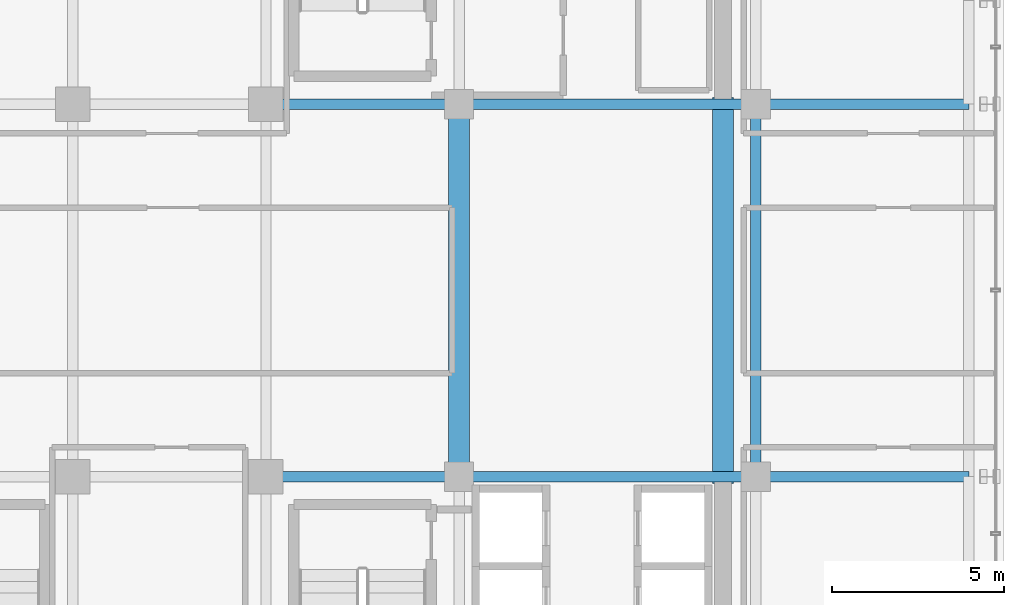
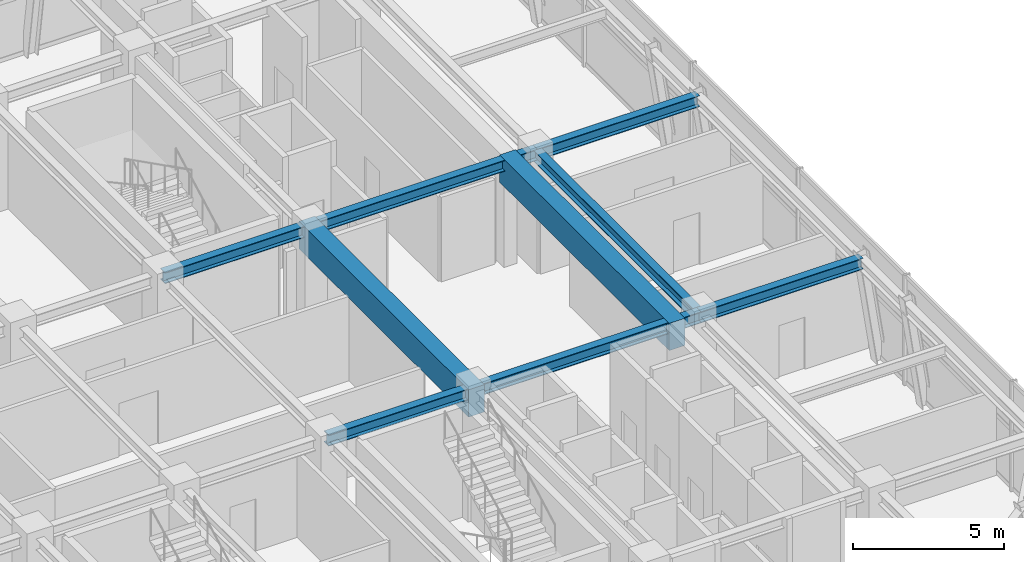
# One storey, part 11 of 28: 9 beams.
"""IFC4 building model written with IfcOpenShell, lengths in metres."""

import ifcopenshell
import ifcopenshell.guid

model = None  # the IFC model being written
_history = None  # IfcOwnerHistory: only IFC2X3 demands one
_inside = {}  # id of a spatial element -> (the spatial element, [elements in it])
_under = {}  # id of a project, library or spatial element -> (it, [spatial elements below it])
_declared = {}  # id of a project -> (the project, [libraries it declares])
_typed = {}  # id of a type object -> (the type object, [elements of that type])
_made_of = {}  # id of a material, layer set ... -> (it, [elements and type objects made of it])


def new_model(schema):
    """Start an empty IFC model of exactly this schema.

    Asked for "IFC4X3", IfcOpenShell would pick the latest addendum, in which some entities
    have other attributes; the version numbers below select the first issue.
    IFC2X3 requires an IfcOwnerHistory on every rooted entity: one is made here for all.
    """
    global model, _history
    if schema == "IFC4X3":
        model = ifcopenshell.file(schema_version=(4, 3, 0, 0))
    else:
        model = ifcopenshell.file(schema=schema)
    _inside.clear()
    _under.clear()
    _declared.clear()
    _typed.clear()
    _made_of.clear()
    _history = None
    if model.schema == "IFC2X3":
        org = make("IfcOrganization", Name="unknown")
        user = make(
            "IfcPersonAndOrganization",
            ThePerson=make("IfcPerson", FamilyName="unknown"),
            TheOrganization=org,
        )
        app = make(
            "IfcApplication",
            ApplicationDeveloper=org,
            Version="unknown",
            ApplicationFullName="unknown",
            ApplicationIdentifier="unknown",
        )
        _history = make(
            "IfcOwnerHistory",
            OwningUser=user,
            OwningApplication=app,
            ChangeAction="ADDED",
            CreationDate=0,
        )
    return model


def make(cls, **values):
    """One entity of the class cls with the attributes given. An attribute that is None is left unset."""
    return model.create_entity(
        cls, **{name: value for name, value in values.items() if value is not None}
    )


def rooted(cls, **values):
    """An entity with a GlobalId (a new one), such as an element, a storey or a relation."""
    return make(cls, GlobalId=ifcopenshell.guid.new(), OwnerHistory=_history, **values)


def si_unit(unit_type, name, prefix=None):
    """IfcSIUnit, for example si_unit("LENGTHUNIT", "METRE", prefix="MILLI")."""
    return make("IfcSIUnit", UnitType=unit_type, Prefix=prefix, Name=name)


def assignment(units):
    """IfcUnitAssignment: the units of a project."""
    return None if units is None else make("IfcUnitAssignment", Units=units)


def point(xyz):
    """IfcCartesianPoint."""
    return None if xyz is None else make("IfcCartesianPoint", Coordinates=xyz)


def direction(xyz):
    """IfcDirection."""
    return None if xyz is None else make("IfcDirection", DirectionRatios=xyz)


def frame(location, z_axis=None, x_axis=None):
    """IfcAxis2Placement3D, a coordinate frame: its origin and axes. An axis left out is left unset."""
    return make(
        "IfcAxis2Placement3D",
        Location=point(location),
        Axis=direction(z_axis),
        RefDirection=direction(x_axis),
    )


def frame_2d(location, x_axis=None):
    """IfcAxis2Placement2D, a coordinate frame in the plane: its origin and x axis."""
    return make(
        "IfcAxis2Placement2D", Location=point(location), RefDirection=direction(x_axis)
    )


def origin():
    """The frame at (0, 0, 0) with its axes left unset."""
    return frame((0.0, 0.0, 0.0))


def origin_2d():
    """The frame at (0, 0) in the plane with its x axis left unset."""
    return frame_2d((0.0, 0.0))


def place(relative_to, where):
    """IfcLocalPlacement: puts the frame where relative to a parent placement (None: the world)."""
    return make(
        "IfcLocalPlacement", PlacementRelTo=relative_to, RelativePlacement=where
    )


def context(
    kind, dimensions, precision=None, world=None, true_north=None, identifier=None
):
    """IfcGeometricRepresentationContext, for example the 3D "Model" context."""
    return make(
        "IfcGeometricRepresentationContext",
        ContextIdentifier=identifier,
        ContextType=kind,
        CoordinateSpaceDimension=dimensions,
        Precision=precision,
        WorldCoordinateSystem=world,
        TrueNorth=true_north,
    )


def subcontext(parent, identifier, kind, view, scale=None):
    """IfcGeometricRepresentationSubContext, for example "Body" below "Model"."""
    return make(
        "IfcGeometricRepresentationSubContext",
        ContextIdentifier=identifier,
        ContextType=kind,
        ParentContext=parent,
        TargetScale=scale,
        TargetView=view,
    )


def project(units=None, contexts=None):
    """IfcProject with its units and contexts."""
    return rooted(
        "IfcProject",
        Name="project",
        RepresentationContexts=contexts,
        UnitsInContext=assignment(units),
    )


def spatial(cls, under=None, at=None, **own):
    """A site, building, storey or space (cls), placed at a placement, below another one or the project."""
    s = rooted(cls, ObjectPlacement=at, **own)
    if under is not None:
        _under.setdefault(under.id(), (under, []))[1].append(s)
    return s


def profile(cls, at=None, kind="AREA", **sizes):
    """A parametric profile (cls). Its sizes go by their IFC names, for example OverallWidth=200.0."""
    return make(cls, ProfileType=kind, Position=at, **sizes)


def rectangle(**sizes):
    """IfcRectangleProfileDef."""
    return profile("IfcRectangleProfileDef", **sizes)


def i_section(**sizes):
    """IfcIShapeProfileDef."""
    return profile("IfcIShapeProfileDef", **sizes)


def extrude(swept, where, along, depth):
    """IfcExtrudedAreaSolid: the profile swept, set in the frame where, extruded along a direction by depth."""
    return make(
        "IfcExtrudedAreaSolid",
        SweptArea=swept,
        Position=where,
        ExtrudedDirection=direction(along),
        Depth=depth,
    )


def shape(context_of_items, identifier, shape_type, items):
    """IfcShapeRepresentation: the items that make up one representation, for example the "Body"."""
    return make(
        "IfcShapeRepresentation",
        ContextOfItems=context_of_items,
        RepresentationIdentifier=identifier,
        RepresentationType=shape_type,
        Items=items,
    )


def source(mapping_origin, context_of_items, identifier, shape_type, items):
    """IfcRepresentationMap: a shape defined once, which mapped items show again and again."""
    return make(
        "IfcRepresentationMap",
        MappingOrigin=mapping_origin,
        MappedRepresentation=shape(context_of_items, identifier, shape_type, items),
    )


def transform(
    local_origin,
    x_axis=None,
    y_axis=None,
    z_axis=None,
    scale=None,
    scale2=None,
    scale3=None,
    uniform=True,
):
    """IfcCartesianTransformationOperator3D, or its non-uniform kind. x_axis, y_axis, z_axis: its Axis1, 2, 3."""
    if uniform:
        return make(
            "IfcCartesianTransformationOperator3D",
            Axis1=direction(x_axis),
            Axis2=direction(y_axis),
            LocalOrigin=point(local_origin),
            Scale=scale,
            Axis3=direction(z_axis),
        )
    return make(
        "IfcCartesianTransformationOperator3DnonUniform",
        Axis1=direction(x_axis),
        Axis2=direction(y_axis),
        LocalOrigin=point(local_origin),
        Scale=scale,
        Axis3=direction(z_axis),
        Scale2=scale2,
        Scale3=scale3,
    )


def mapped(mapping_source, mapping_target):
    """IfcMappedItem: shows the shape of a source again, moved by a transform."""
    return make(
        "IfcMappedItem", MappingSource=mapping_source, MappingTarget=mapping_target
    )


def material(Name=None, Category=None):
    """IfcMaterial."""
    return make("IfcMaterial", Name=Name, Category=Category)


def material_profile(
    of_material, cross_section, Name=None, Category=None, Priority=None
):
    """IfcMaterialProfile: a cross section and its material."""
    return make(
        "IfcMaterialProfile",
        Name=Name,
        Material=of_material,
        Profile=cross_section,
        Priority=Priority,
        Category=Category,
    )


def profile_set(profiles, Name=None, composite=None):
    """IfcMaterialProfileSet."""
    return make(
        "IfcMaterialProfileSet",
        Name=Name,
        MaterialProfiles=profiles,
        CompositeProfile=composite,
    )


def made_of(thing, what):
    """Note that an element or type object is made of a material, layer set ...; save() writes the relation."""
    if what is not None:
        _made_of.setdefault(what.id(), (what, []))[1].append(thing)
    return thing


def type_object(cls, material=None, **own):
    """A type object (cls), such as IfcWallType, which elements share."""
    return made_of(rooted(cls, **own), material)


def element(
    cls,
    number,
    at=None,
    inside=None,
    cuts=None,
    type_object=None,
    material=None,
    context=None,
    identifier="Body",
    shape_type=None,
    held_by="IfcProductDefinitionShape",
    body=None,
    shapes=None,
    **own,
):
    """One element of the class cls, such as IfcWall. Its Tag is "e" and its number.

    at: its placement. inside: the storey or other place that contains it. cuts: it is an
    opening in that element (IfcRelVoidsElement). A single representation is given by context,
    identifier, shape_type and body (its items); several are given by shapes. held_by: the class
    of the entity that holds the representations. save() writes the other relations.
    """
    e = rooted(cls, Tag="e%d" % number, ObjectPlacement=at, **own)
    if body is not None:
        shapes = [shape(context, identifier, shape_type, body)]
    if shapes is not None:
        e.Representation = make(held_by, Representations=shapes)
    if inside is not None:
        _inside.setdefault(inside.id(), (inside, []))[1].append(e)
    if cuts is not None:
        rooted(
            "IfcRelVoidsElement", RelatingBuildingElement=cuts, RelatedOpeningElement=e
        )
    if type_object is not None:
        _typed.setdefault(type_object.id(), (type_object, []))[1].append(e)
    return made_of(e, material)


def aggregate(whole, parts):
    """IfcRelAggregates: a whole, such as a stair, and the parts it consists of."""
    return rooted("IfcRelAggregates", RelatingObject=whole, RelatedObjects=parts)


def save(model, path):
    """Write the relations noted so far, then the file.

    IfcRelAggregates (storeys below a building ...), IfcRelContainedInSpatialStructure (elements
    in a storey), IfcRelDefinesByType, IfcRelAssociatesMaterial and IfcRelDeclares: one each for
    every whole, place, type object, material and project.
    """
    for whole, parts in _under.values():
        aggregate(whole, parts)
    for where, things in _inside.values():
        rooted(
            "IfcRelContainedInSpatialStructure",
            RelatedElements=things,
            RelatingStructure=where,
        )
    for kind, things in _typed.values():
        rooted("IfcRelDefinesByType", RelatedObjects=things, RelatingType=kind)
    for what, things in _made_of.values():
        rooted("IfcRelAssociatesMaterial", RelatedObjects=things, RelatingMaterial=what)
    for by, libraries in _declared.values():
        rooted("IfcRelDeclares", RelatingContext=by, RelatedDefinitions=libraries)
    model.write(path)


model = new_model("IFC4")

# Units and contexts
model_context = context("Model", 3, precision=1e-05, world=origin(), true_north=direction((0.0, 1.0)))
body_context = subcontext(model_context, "Body", "Model", "MODEL_VIEW")
ifc_project = project(units=[si_unit("LENGTHUNIT", "METRE"), si_unit("AREAUNIT", "SQUARE_METRE"), si_unit("VOLUMEUNIT", "CUBIC_METRE"), si_unit("PLANEANGLEUNIT", "RADIAN"), si_unit("MASSUNIT", "GRAM", prefix="KILO")], contexts=[model_context])

# Site, building, storey
site_placement = place(None, origin())
site = spatial("IfcSite", under=ifc_project, at=site_placement, CompositionType="ELEMENT")
building_placement = place(site_placement, origin())
building = spatial("IfcBuilding", under=site, at=building_placement, Name="Nahalor Promenade Grand Hotel", CompositionType="ELEMENT")
storey_placement = place(building_placement, frame((0.0, 0.0, 256.699951171875)))
storey = spatial("IfcBuildingStorey", under=building, at=storey_placement, Name="L66", CompositionType="ELEMENT", Elevation=256.699951171875)

# Beams
ifc_material_1 = material(Name="Concrete B-60 (C50/60)", Category="concrete")
ifc_material_profile_1 = material_profile(ifc_material_1, rectangle(XDim=0.6, YDim=1.1, at=origin_2d()), Name="RC 600x1100")
ifc_profile_set_1 = profile_set([ifc_material_profile_1], Name="Concrete B-60 (C50/60)")
beam_type_1 = type_object("IfcBeamType", Name="Beam-Lintel-RC1100", PredefinedType="LINTEL", material=ifc_profile_set_1)
shared_shape_1 = source(origin(), body_context, "Body", "SweptSolid", [
    extrude(rectangle(XDim=0.6, YDim=1.1, at=origin_2d()), origin(), (0.0, 0.0, 1.0), 11.2001953125),
])
for number, where, z_axis, x_axis, name in (
    (1, (8.39990234375, -5.60009765625, 3.89013671875), (0.0, 1.0, 0.0), (-1.0, 0.0, 0.0), "BM-L66-LINT-W"),
    (2, (16.050048828125, -5.60009765625, 3.89013671875), (0.0, 1.0, 0.0), (-1.0, 0.0, 0.0), "BM-L66-LINT-E"),
):
    element("IfcBeam", number, at=place(storey_placement, frame(where, z_axis=z_axis, x_axis=x_axis)), inside=storey, type_object=beam_type_1, Name=name, PredefinedType="LINTEL", context=body_context, shape_type="MappedRepresentation", body=[
        mapped(shared_shape_1, transform((0.0, 0.0, 0.0), scale=1.0)),
    ])
ifc_material_2 = material(Name="Steel S355JR", Category="steel")
ifc_material_profile_2 = material_profile(ifc_material_2, i_section(OverallWidth=0.3, OverallDepth=0.45, WebThickness=0.014, FlangeThickness=0.026, at=origin_2d()), Name="HEB 450")
ifc_profile_set_2 = profile_set([ifc_material_profile_2], Name="Steel S355JR")
beam_type_2 = type_object("IfcBeamType", Name="Beam-Girder-HEB450", PredefinedType="BEAM", material=ifc_profile_set_2)
shared_shape_2 = source(origin(), body_context, "Body", "SweptSolid", [
    extrude(i_section(OverallWidth=0.3, OverallDepth=0.45, WebThickness=0.014, FlangeThickness=0.026, at=origin_2d()), origin(), (0.0, 0.0, 1.0), 8.60009765625),
])
for number, where, z_axis, x_axis, name in (
    (3, (8.39990234375, -5.39990234375, 4.215087890625), (1.0, 0.0, 0.0), (0.0, 1.0, 0.0), "BM-L66-GX-1-5"),
    (4, (8.39990234375, 5.39990234375, 4.215087890625), (1.0, 0.0, 0.0), (0.0, 1.0, 0.0), "BM-L66-GX-2-5"),
):
    element("IfcBeam", number, at=place(storey_placement, frame(where, z_axis=z_axis, x_axis=x_axis)), inside=storey, type_object=beam_type_2, Name=name, PredefinedType="BEAM", context=body_context, shape_type="MappedRepresentation", body=[
        mapped(shared_shape_2, transform((0.0, 0.0, 0.0), scale=1.0)),
    ])
shared_shape_3 = source(origin(), body_context, "Body", "SweptSolid", [
    extrude(i_section(OverallWidth=0.3, OverallDepth=0.45, WebThickness=0.014, FlangeThickness=0.026, at=origin_2d()), origin(), (0.0, 0.0, 1.0), 5.599853515625),
])
for number, where, z_axis, x_axis, name in (
    (5, (2.800048828125, -5.39990234375, 4.215087890625), (1.0, 0.0, 0.0), (0.0, 1.0, 0.0), "BM-L66-GX-1-4"),
    (6, (2.800048828125, 5.39990234375, 4.215087890625), (1.0, 0.0, 0.0), (0.0, 1.0, 0.0), "BM-L66-GX-2-4"),
):
    element("IfcBeam", number, at=place(storey_placement, frame(where, z_axis=z_axis, x_axis=x_axis)), inside=storey, type_object=beam_type_2, Name=name, PredefinedType="BEAM", context=body_context, shape_type="MappedRepresentation", body=[
        mapped(shared_shape_3, transform((0.0, 0.0, 0.0), scale=1.0)),
    ])
shared_shape_4 = source(origin(), body_context, "Body", "SweptSolid", [
    extrude(i_section(OverallWidth=0.3, OverallDepth=0.45, WebThickness=0.014, FlangeThickness=0.026, at=origin_2d()), origin(), (0.0, 0.0, 1.0), 10.7998046875),
])
beam_placement = place(storey_placement, frame((17.0, -5.39990234375, 4.215087890625), z_axis=(0.0, 1.0, 0.0), x_axis=(-1.0, 0.0, 0.0)))
element("IfcBeam", 7, at=beam_placement, inside=storey, type_object=beam_type_2, Name="BM-L66-GY-5-2", PredefinedType="BEAM", context=body_context, shape_type="MappedRepresentation", body=[
    mapped(shared_shape_4, transform((0.0, 0.0, 0.0), scale=1.0)),
])
shared_shape_5 = source(origin(), body_context, "Body", "SweptSolid", [
    extrude(i_section(OverallWidth=0.3, OverallDepth=0.45, WebThickness=0.014, FlangeThickness=0.026, at=origin_2d()), origin(), (0.0, 0.0, 1.0), 6.179931640625),
])
for number, where, z_axis, x_axis, name in (
    (8, (17.0, -5.39990234375, 4.215087890625), (1.0, 0.0, 0.0), (0.0, 1.0, 0.0), "BM-L66-GX-1-6"),
    (9, (17.0, 5.39990234375, 4.215087890625), (1.0, 0.0, 0.0), (0.0, 1.0, 0.0), "BM-L66-GX-2-6"),
):
    element("IfcBeam", number, at=place(storey_placement, frame(where, z_axis=z_axis, x_axis=x_axis)), inside=storey, type_object=beam_type_2, Name=name, PredefinedType="BEAM", context=body_context, shape_type="MappedRepresentation", body=[
        mapped(shared_shape_5, transform((0.0, 0.0, 0.0), scale=1.0)),
    ])

save(model, "model.ifc")
